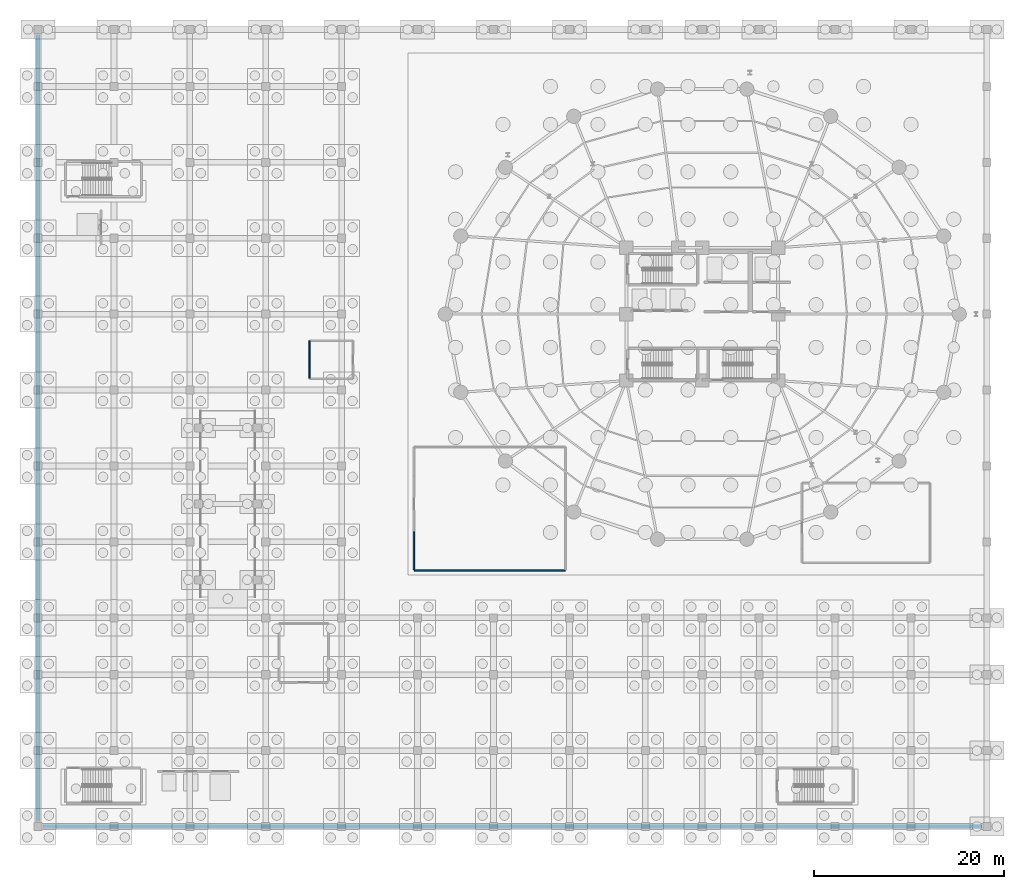
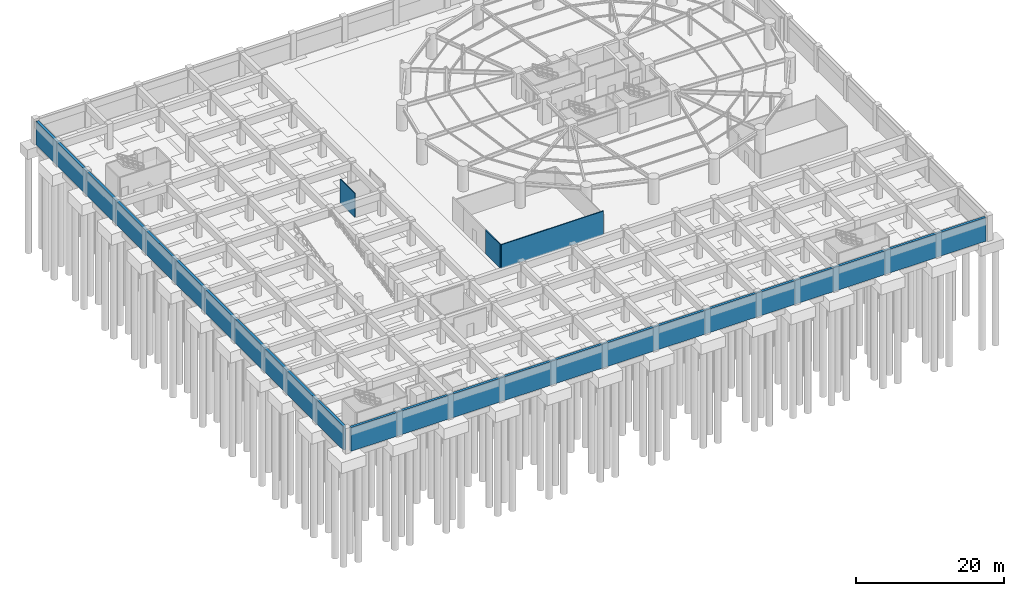
# One storey, part 13 of 23: 5 walls.
"""IFC4 building model written with IfcOpenShell, lengths in metres."""

from ifc_helpers import new_model, si_unit, direction, frame, frame_2d, origin, place, context, subcontext, project, spatial, rectangle, extrude, material, layer, layer_set, type_object, element, save


model = new_model("IFC4")

# Units and contexts
model_context = context("Model", 3, precision=1e-05, world=origin(), true_north=direction((0.0, 1.0)))
body_context = subcontext(model_context, "Body", "Model", "MODEL_VIEW")
ifc_project = project(units=[si_unit("LENGTHUNIT", "METRE"), si_unit("AREAUNIT", "SQUARE_METRE"), si_unit("VOLUMEUNIT", "CUBIC_METRE"), si_unit("PLANEANGLEUNIT", "RADIAN"), si_unit("MASSUNIT", "GRAM", prefix="KILO")], contexts=[model_context])

# Site, building, storey
site_placement = place(None, origin())
site = spatial("IfcSite", under=ifc_project, at=site_placement, CompositionType="ELEMENT")
building_placement = place(site_placement, origin())
building = spatial("IfcBuilding", under=site, at=building_placement, Name="Kelanora Arch Commons", CompositionType="ELEMENT")
storey_placement = place(building_placement, frame((0.0, 0.0, -8.39990234375)))
storey = spatial("IfcBuildingStorey", under=building, at=storey_placement, Name="B02", CompositionType="ELEMENT", Elevation=-8.39990234375)

# Walls
ifc_material_1 = material(Name="Concrete C45/55 waterproofed retaining wall", Category="concrete")
ifc_layer_1 = layer(ifc_material_1, 0.39990234375)
ifc_layer_set_1 = layer_set([ifc_layer_1], Name="Concrete C45/55 waterproofed retaining wall")
wall_type_1 = type_object("IfcWallType", Name="W-BSMT-RET", PredefinedType="USERDEFINED", material=ifc_layer_set_1)
wall_1_placement = place(storey_placement, frame((4.550048828125, 4.0, 0.0), z_axis=(0.0, 0.0, 1.0), x_axis=(1.0, 0.0, 0.0)))
element("IfcWall", 1, at=wall_1_placement, inside=storey, type_object=wall_type_1, Name="Basement Retaining Wall B02-1", ObjectType="RETAININGWALL", PredefinedType="USERDEFINED", context=body_context, shape_type="SweptSolid", body=[
    extrude(rectangle(XDim=98.89990234375, YDim=0.39990234375, at=frame_2d((49.449951171875, 0.0))), origin(), (0.0, 0.0, 1.0), 3.89990234375),
])
wall_2_placement = place(storey_placement, frame((4.0, 87.449951171875, 0.0), z_axis=(0.0, 0.0, 1.0), x_axis=(0.0, -1.0, 0.0)))
element("IfcWall", 2, at=wall_2_placement, inside=storey, type_object=wall_type_1, Name="Basement Retaining Wall B02-4", ObjectType="RETAININGWALL", PredefinedType="USERDEFINED", context=body_context, shape_type="SweptSolid", body=[
    extrude(rectangle(XDim=82.89990234375, YDim=0.39990234375, at=frame_2d((41.449951171875, 0.0))), origin(), (0.0, 0.0, 1.0), 3.89990234375),
])
ifc_material_2 = material(Name="Autoclaved aerated concrete blockwork with fire plaster", Category="masonry")
ifc_layer_2 = layer(ifc_material_2, 0.14990234375)
ifc_layer_set_2 = layer_set([ifc_layer_2], Name="Autoclaved aerated concrete blockwork with fire plaster")
wall_type_2 = type_object("IfcWallType", Name="W-COMP-150", PredefinedType="PARTITIONING", material=ifc_layer_set_2)
wall_3_placement = place(storey_placement, frame((43.639892578125, 31.0, 0.0), z_axis=(0.0, 0.0, 1.0), x_axis=(1.0, 0.0, 0.0)))
element("IfcWall", 3, at=wall_3_placement, inside=storey, type_object=wall_type_2, Name="Monsoon Attenuation and Fire Water Tank Room B02 Enclosure Partition 1", PredefinedType="PARTITIONING", context=body_context, shape_type="SweptSolid", body=[
    extrude(rectangle(XDim=15.920166015625, YDim=0.14990234375, at=frame_2d((7.9599609375, 0.0))), origin(), (0.0, 0.0, 1.0), 3.889892578125),
])
wall_4_placement = place(storey_placement, frame((43.60009765625, 35.06005859375, 0.0), z_axis=(0.0, 0.0, 1.0), x_axis=(0.0, -1.0, 0.0)))
element("IfcWall", 4, at=wall_4_placement, inside=storey, type_object=wall_type_2, Name="Monsoon Attenuation and Fire Water Tank Room B02 Enclosure Partition 4", PredefinedType="PARTITIONING", context=body_context, shape_type="SweptSolid", body=[
    extrude(rectangle(XDim=4.02001953125, YDim=0.14990234375, at=frame_2d((2.010009765625, 0.0))), origin(), (0.0, 0.0, 1.0), 3.889892578125),
])
ifc_material_3 = material(Name="Moisture-resistant fire-rated cement-board plumbing wall")
ifc_layer_3 = layer(ifc_material_3, 0.1298828125)
ifc_layer_set_3 = layer_set([ifc_layer_3], Name="Moisture-resistant fire-rated cement-board plumbing wall")
wall_type_3 = type_object("IfcWallType", Name="W-WET-120", PredefinedType="PLUMBINGWALL", material=ifc_layer_set_3)
wall_5_placement = place(storey_placement, frame((32.60009765625, 55.179931640625, 0.0), z_axis=(0.0, 0.0, 1.0), x_axis=(0.0, -1.0, 0.0)))
element("IfcWall", 5, at=wall_5_placement, inside=storey, type_object=wall_type_3, Name="Accessible Staff Toilet B02 Enclosure Partition 4", PredefinedType="PLUMBINGWALL", context=body_context, shape_type="SweptSolid", body=[
    extrude(rectangle(XDim=3.9599609375, YDim=0.1298828125, at=frame_2d((1.97998046875, 0.0))), origin(), (0.0, 0.0, 1.0), 3.889892578125),
])

save(model, "model.ifc")
